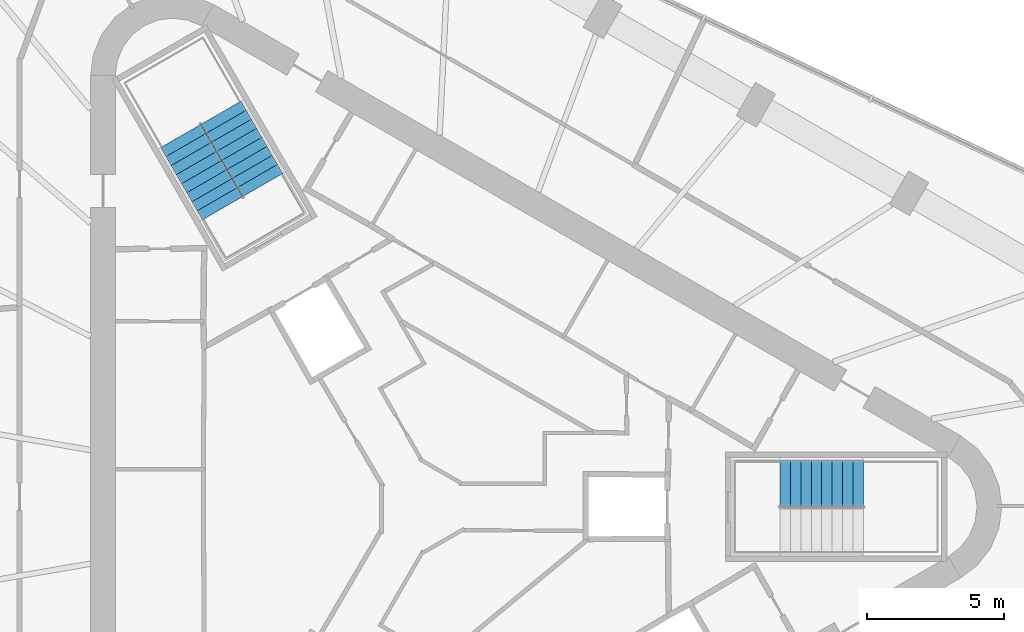
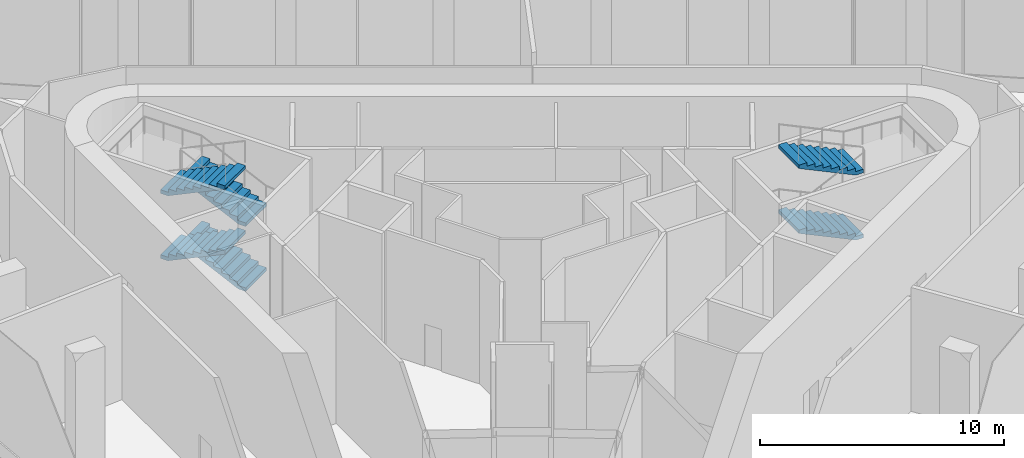
# One storey, part 11 of 13: 6 stair flights, 2 elements without a shape of their own.
"""IFC4 building model written with IfcOpenShell, lengths in metres."""

from ifc_helpers import new_model, si_unit, direction, frame, origin, place, context, subcontext, project, spatial, polyline, outline, extrude, material, type_object, element, aggregate, save


model = new_model("IFC4")

# Units and contexts
model_context = context("Model", 3, precision=1e-05, world=origin(), true_north=direction((0.0, 1.0)))
body_context = subcontext(model_context, "Body", "Model", "MODEL_VIEW")
ifc_project = project(units=[si_unit("LENGTHUNIT", "METRE"), si_unit("AREAUNIT", "SQUARE_METRE"), si_unit("VOLUMEUNIT", "CUBIC_METRE"), si_unit("PLANEANGLEUNIT", "RADIAN"), si_unit("MASSUNIT", "GRAM", prefix="KILO")], contexts=[model_context])

# Site, building, storey
site_placement = place(None, origin())
site = spatial("IfcSite", under=ifc_project, at=site_placement, CompositionType="ELEMENT")
building_placement = place(site_placement, origin())
building = spatial("IfcBuilding", under=site, at=building_placement, Name="Tanit Gate Tower", CompositionType="ELEMENT")
storey_placement = place(building_placement, frame((0.0, 0.0, 398.300048828125)))
storey = spatial("IfcBuildingStorey", under=building, at=storey_placement, Name="L91", CompositionType="ELEMENT", Elevation=398.300048828125)

# Stair, stair flights
ifc_material_1 = material(Name="Concrete C40/50", Category="concrete")
stair_type = type_object("IfcStairType", Name="INT-STAIR-EXIT", PredefinedType="HALF_TURN_STAIR", material=ifc_material_1)
stair_1_placement = place(storey_placement, origin())
stair_1 = element("IfcStair", 1, at=stair_1_placement, inside=storey, type_object=stair_type, Name="L91 STAIR S1", PredefinedType="HALF_TURN_STAIR")
ifc_material_2 = material(Name="Concrete C40/50", Category="concrete")
stair_flight_type = type_object("IfcStairFlightType", Name="INT-STAIR-FLIGHT", PredefinedType="STRAIGHT", material=ifc_material_2)
stair_flight_1_placement = place(storey_placement, frame((16.14599609375, 0.8525390625, 1.625), z_axis=(0.0, 0.0, 1.0), x_axis=(-1.0, 0.0, 0.0)))
stair_flight_1 = element("IfcStairFlight", 2, at=stair_flight_1_placement, type_object=stair_flight_type, Name="S1 flight 2", NumberOfRisers=9, NumberOfTreads=8, PredefinedType="STRAIGHT", RiserHeight=0.180555556, TreadLength=0.381375, context=body_context, shape_type="SweptSolid", body=[
    extrude(outline(polyline([(0.0, 0.0), (0.0, 0.1806640625), (0.38134765625, 0.1806640625), (0.38134765625, 0.361083984375), (0.7626953125, 0.361083984375), (0.7626953125, 0.541748046875), (1.14404296875, 0.541748046875), (1.14404296875, 0.72216796875), (1.525390625, 0.72216796875), (1.525390625, 0.90283203125), (1.906982421875, 0.90283203125), (1.906982421875, 1.083251953125), (2.288330078125, 1.083251953125), (2.288330078125, 1.263916015625), (2.669677734375, 1.263916015625), (2.669677734375, 1.4443359375), (3.051025390625, 1.4443359375), (3.051025390625, 1.625), (3.051025390625, 1.278564453125), (0.350341796875, 0.0), (0.0, 0.0)])), frame((0.0, 0.84765625, 0.0), z_axis=(0.0, -1.0, 0.0), x_axis=(1.0, 0.0, 0.0)), (0.0, 0.0, 1.0), 1.695068359375),
])
stair_flight_2_placement = place(storey_placement, frame((16.14599609375, 0.8525390625, 4.875), z_axis=(0.0, 0.0, 1.0), x_axis=(-1.0, 0.0, 0.0)))
stair_flight_2 = element("IfcStairFlight", 3, at=stair_flight_2_placement, type_object=stair_flight_type, Name="S1 flight 4", NumberOfRisers=9, NumberOfTreads=8, PredefinedType="STRAIGHT", RiserHeight=0.180555556, TreadLength=0.381375, context=body_context, shape_type="SweptSolid", body=[
    extrude(outline(polyline([(0.0, 0.0), (0.0, 0.1806640625), (0.38134765625, 0.1806640625), (0.38134765625, 0.361083984375), (0.7626953125, 0.361083984375), (0.7626953125, 0.541748046875), (1.14404296875, 0.541748046875), (1.14404296875, 0.72216796875), (1.525390625, 0.72216796875), (1.525390625, 0.90283203125), (1.906982421875, 0.90283203125), (1.906982421875, 1.083251953125), (2.288330078125, 1.083251953125), (2.288330078125, 1.263916015625), (2.669677734375, 1.263916015625), (2.669677734375, 1.4443359375), (3.051025390625, 1.4443359375), (3.051025390625, 1.625), (3.051025390625, 1.278564453125), (0.350341796875, 0.0), (0.0, 0.0)])), frame((0.0, 0.84765625, 0.0), z_axis=(0.0, -1.0, 0.0), x_axis=(1.0, 0.0, 0.0)), (0.0, 0.0, 1.0), 1.695068359375),
])
aggregate(stair_1, [stair_flight_1, stair_flight_2])

stair_2_placement = place(storey_placement, origin())
stair_2 = element("IfcStair", 4, at=stair_2_placement, inside=storey, type_object=stair_type, Name="L91 STAIR S2", PredefinedType="HALF_TURN_STAIR")
stair_flight_3_placement = place(storey_placement, frame((-5.808349609375, 11.766357421875, 0.0), z_axis=(0.0, 0.0, 1.0), x_axis=(-0.5, 0.866025403784, 0.0)))
stair_flight_3 = element("IfcStairFlight", 5, at=stair_flight_3_placement, type_object=stair_flight_type, Name="S2 flight 1", NumberOfRisers=9, NumberOfTreads=8, PredefinedType="STRAIGHT", RiserHeight=0.180555556, TreadLength=0.38115, context=body_context, shape_type="SweptSolid", body=[
    extrude(outline(polyline([(0.0, 0.0), (0.0, 0.1806640625), (0.381103515625, 0.1806640625), (0.381103515625, 0.361083984375), (0.76220703125, 0.361083984375), (0.76220703125, 0.541748046875), (1.1435546875, 0.541748046875), (1.1435546875, 0.72216796875), (1.524658203125, 0.72216796875), (1.524658203125, 0.90283203125), (1.90576171875, 0.90283203125), (1.90576171875, 1.083251953125), (2.286865234375, 1.083251953125), (2.286865234375, 1.263916015625), (2.66796875, 1.263916015625), (2.66796875, 1.4443359375), (3.04931640625, 1.4443359375), (3.04931640625, 1.625), (3.04931640625, 1.278564453125), (0.35009765625, 0.0), (0.0, 0.0)])), frame((0.0, 0.84716796875, 0.0), z_axis=(0.0, -1.0, 0.0), x_axis=(1.0, 0.0, 0.0)), (0.0, 0.0, 1.0), 1.694091796875),
])
stair_flight_4_placement = place(storey_placement, frame((-8.810302734375, 13.553955078125, 1.625), z_axis=(0.0, 0.0, 1.0), x_axis=(0.5, -0.866025403784, 0.0)))
stair_flight_4 = element("IfcStairFlight", 6, at=stair_flight_4_placement, type_object=stair_flight_type, Name="S2 flight 2", NumberOfRisers=9, NumberOfTreads=8, PredefinedType="STRAIGHT", RiserHeight=0.180555556, TreadLength=0.38115, context=body_context, shape_type="SweptSolid", body=[
    extrude(outline(polyline([(0.0, 0.0), (0.0, 0.1806640625), (0.381103515625, 0.1806640625), (0.381103515625, 0.361083984375), (0.76220703125, 0.361083984375), (0.76220703125, 0.541748046875), (1.1435546875, 0.541748046875), (1.1435546875, 0.72216796875), (1.524658203125, 0.72216796875), (1.524658203125, 0.90283203125), (1.90576171875, 0.90283203125), (1.90576171875, 1.083251953125), (2.286865234375, 1.083251953125), (2.286865234375, 1.263916015625), (2.66796875, 1.263916015625), (2.66796875, 1.4443359375), (3.04931640625, 1.4443359375), (3.04931640625, 1.625), (3.04931640625, 1.278564453125), (0.35009765625, 0.0), (0.0, 0.0)])), frame((0.0, 0.84716796875, 0.0), z_axis=(0.0, -1.0, 0.0), x_axis=(1.0, 0.0, 0.0)), (0.0, 0.0, 1.0), 1.694091796875),
])
stair_flight_5_placement = place(storey_placement, frame((-5.808349609375, 11.766357421875, 3.25), z_axis=(0.0, 0.0, 1.0), x_axis=(-0.5, 0.866025403784, 0.0)))
stair_flight_5 = element("IfcStairFlight", 7, at=stair_flight_5_placement, type_object=stair_flight_type, Name="S2 flight 3", NumberOfRisers=9, NumberOfTreads=8, PredefinedType="STRAIGHT", RiserHeight=0.180555556, TreadLength=0.38115, context=body_context, shape_type="SweptSolid", body=[
    extrude(outline(polyline([(0.0, 0.0), (0.0, 0.1806640625), (0.381103515625, 0.1806640625), (0.381103515625, 0.361083984375), (0.76220703125, 0.361083984375), (0.76220703125, 0.541748046875), (1.1435546875, 0.541748046875), (1.1435546875, 0.72216796875), (1.524658203125, 0.72216796875), (1.524658203125, 0.90283203125), (1.90576171875, 0.90283203125), (1.90576171875, 1.083251953125), (2.286865234375, 1.083251953125), (2.286865234375, 1.263916015625), (2.66796875, 1.263916015625), (2.66796875, 1.4443359375), (3.04931640625, 1.4443359375), (3.04931640625, 1.625), (3.04931640625, 1.278564453125), (0.35009765625, 0.0), (0.0, 0.0)])), frame((0.0, 0.84716796875, 0.0), z_axis=(0.0, -1.0, 0.0), x_axis=(1.0, 0.0, 0.0)), (0.0, 0.0, 1.0), 1.694091796875),
])
stair_flight_6_placement = place(storey_placement, frame((-8.810302734375, 13.553955078125, 4.875), z_axis=(0.0, 0.0, 1.0), x_axis=(0.5, -0.866025403784, 0.0)))
stair_flight_6 = element("IfcStairFlight", 8, at=stair_flight_6_placement, type_object=stair_flight_type, Name="S2 flight 4", NumberOfRisers=9, NumberOfTreads=8, PredefinedType="STRAIGHT", RiserHeight=0.180555556, TreadLength=0.38115, context=body_context, shape_type="SweptSolid", body=[
    extrude(outline(polyline([(0.0, 0.0), (0.0, 0.1806640625), (0.381103515625, 0.1806640625), (0.381103515625, 0.361083984375), (0.76220703125, 0.361083984375), (0.76220703125, 0.541748046875), (1.1435546875, 0.541748046875), (1.1435546875, 0.72216796875), (1.524658203125, 0.72216796875), (1.524658203125, 0.90283203125), (1.90576171875, 0.90283203125), (1.90576171875, 1.083251953125), (2.286865234375, 1.083251953125), (2.286865234375, 1.263916015625), (2.66796875, 1.263916015625), (2.66796875, 1.4443359375), (3.04931640625, 1.4443359375), (3.04931640625, 1.625), (3.04931640625, 1.278564453125), (0.35009765625, 0.0), (0.0, 0.0)])), frame((0.0, 0.84716796875, 0.0), z_axis=(0.0, -1.0, 0.0), x_axis=(1.0, 0.0, 0.0)), (0.0, 0.0, 1.0), 1.694091796875),
])
aggregate(stair_2, [stair_flight_3, stair_flight_4, stair_flight_5, stair_flight_6])

save(model, "model.ifc")
